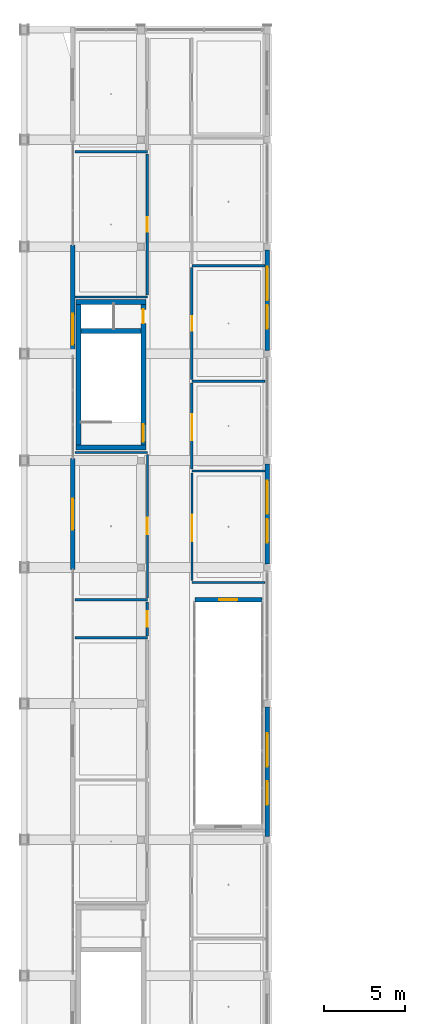
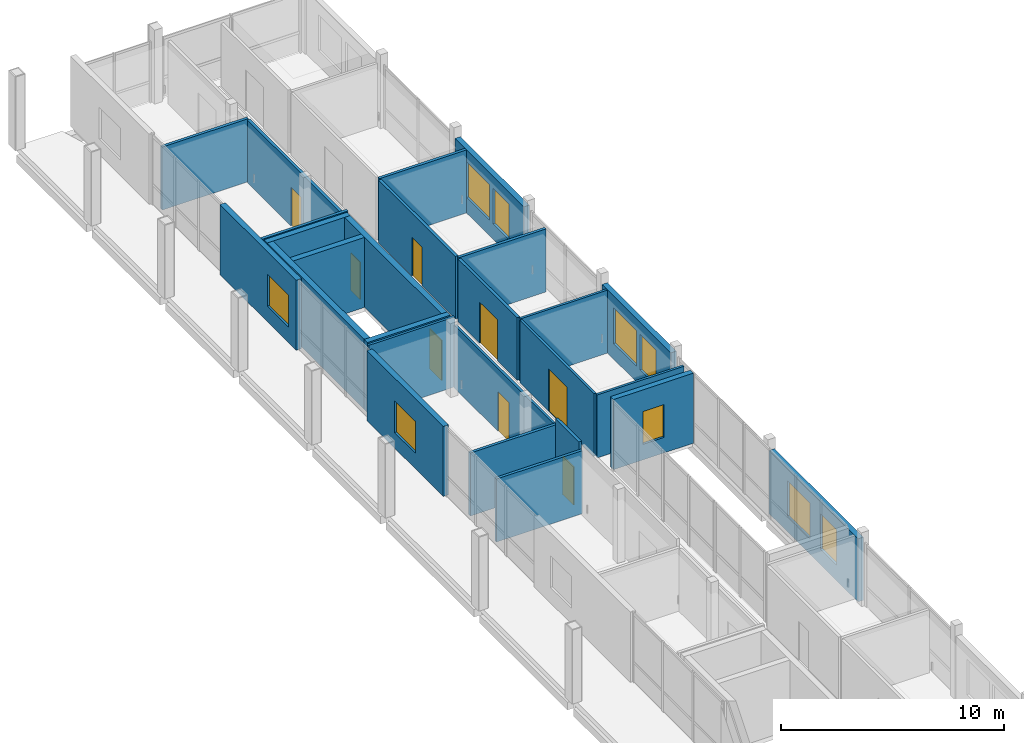
# One storey, part 13 of 24: 26 walls, 9 windows, 8 doors, 17 openings.
"""IFC4 building model written with IfcOpenShell, lengths in metres."""

from ifc_helpers import new_model, si_unit, derived_unit, direction, frame, frame_2d, origin, origin_with_axes, place, context, subcontext, project, spatial, rectangle, extrude, material, layer, layer_set, type_object, element, fill, save


model = new_model("IFC4")

# Units and contexts
model_context = context("Model", 3, precision=1e-05, world=origin(), true_north=direction((0.0, 1.0)))
body_context = subcontext(model_context, "Body", "Model", "MODEL_VIEW")
ifc_project = project(units=[si_unit("LENGTHUNIT", "METRE"), si_unit("AREAUNIT", "SQUARE_METRE"), si_unit("VOLUMEUNIT", "CUBIC_METRE"), si_unit("PLANEANGLEUNIT", "RADIAN"), si_unit("MASSUNIT", "GRAM", prefix="KILO"), derived_unit("THERMALTRANSMITTANCEUNIT", [(si_unit("POWERUNIT", "WATT"), 1), (si_unit("LENGTHUNIT", "METRE"), -2), (si_unit("THERMODYNAMICTEMPERATUREUNIT", "KELVIN"), -1)])], contexts=[model_context])

# Site, building, storey
site_placement = place(None, origin())
site = spatial("IfcSite", under=ifc_project, at=site_placement, CompositionType="ELEMENT")
building_placement = place(site_placement, origin())
building = spatial("IfcBuilding", under=site, at=building_placement, Name="Braskholm Square Health Centre", CompositionType="ELEMENT")
storey_placement = place(building_placement, frame((0.0, 0.0, 21.60009765625)))
storey = spatial("IfcBuildingStorey", under=building, at=storey_placement, Name="L06", CompositionType="ELEMENT", Elevation=21.60009765625)

# Wall, opening, door
ifc_material_1 = material(Name="Acoustic gypsum board partition")
ifc_layer_1 = layer(ifc_material_1, 0.125)
ifc_layer_set_1 = layer_set([ifc_layer_1], Name="Acoustic gypsum board partition")
wall_type_1 = type_object("IfcWallType", Name="ClinicalExamPartition125", PredefinedType="PARTITIONING", material=ifc_layer_set_1)
wall_1_placement = place(storey_placement, frame((11.800048828125, 78.719970703125, 0.0), z_axis=(0.0, 0.0, 1.0), x_axis=(0.0, 1.0, 0.0)))
wall_1 = element("IfcWall", 1, at=wall_1_placement, inside=storey, type_object=wall_type_1, Name="Interior partition PWALL-L06-0262", PredefinedType="PARTITIONING", context=body_context, shape_type="SweptSolid", body=[
    extrude(rectangle(XDim=8.860107421875, YDim=0.125, at=frame_2d((4.43017578125, 0.0))), origin(), (0.0, 0.0, 1.0), 3.434814453125),
])
opening_1_placement = place(wall_1_placement, frame((3.919921875, 0.0, 0.0)))
opening_1 = element("IfcOpeningElement", 2, at=opening_1_placement, cuts=wall_1, Name="Opening D-25", PredefinedType="OPENING", context=body_context, shape_type="SweptSolid", body=[
    extrude(rectangle(XDim=1.02001953125, YDim=2.179931640625, at=frame_2d((0.510009765625, 1.08984375))), frame((0.0, 0.072509765625, 0.0), z_axis=(0.0, -1.0, 0.0), x_axis=(1.0, 0.0, 0.0)), (0.0, 0.0, 1.0), 0.14501953125),
])
ifc_material_2 = material(Name="Architectural bronze anodised aluminium", Category="aluminium")
door_type_1 = type_object("IfcDoorType", Name="DoorConsultWide1020x2180", OperationType="NOTDEFINED", PredefinedType="DOOR", material=ifc_material_2)
door_1_placement = place(opening_1_placement, origin_with_axes())
door_1 = element("IfcDoor", 3, at=door_1_placement, inside=storey, type_object=door_type_1, Name="Interior door 0121 L06", OperationType="SINGLE_SWING_LEFT", OverallHeight=2.179931640625, OverallWidth=1.02001953125, PredefinedType="DOOR", context=body_context, shape_type="SweptSolid", body=[
    extrude(rectangle(XDim=1.02001953125, YDim=2.179931640625, at=frame_2d((0.510009765625, 1.08984375))), frame((0.0, 0.02490234375, 0.0), z_axis=(0.0, -1.0, 0.0), x_axis=(1.0, 0.0, 0.0)), (0.0, 0.0, 1.0), 0.050048828125),
])
fill(opening_1, door_1)

# Wall
wall_2_placement = place(storey_placement, frame((7.340087890625, 87.699951171875, 0.0), z_axis=(0.0, 0.0, 1.0), x_axis=(1.0, 0.0, 0.0)))
element("IfcWall", 4, at=wall_2_placement, inside=storey, type_object=wall_type_1, Name="Interior partition PWALL-L06-0263", PredefinedType="PARTITIONING", context=body_context, shape_type="SweptSolid", body=[
    extrude(rectangle(XDim=4.4599609375, YDim=0.125, at=frame_2d((2.22998046875, 0.0))), origin(), (0.0, 0.0, 1.0), 3.8349609375),
])

# Wall, opening, door
wall_3_placement = place(storey_placement, frame((14.550048828125, 79.800048828125, 0.0), z_axis=(0.0, 0.0, 1.0), x_axis=(0.0, 1.0, 0.0)))
wall_3 = element("IfcWall", 5, at=wall_3_placement, inside=storey, type_object=wall_type_1, Name="Interior partition PWALL-L06-0281", PredefinedType="PARTITIONING", context=body_context, shape_type="SweptSolid", body=[
    extrude(rectangle(XDim=6.639892578125, YDim=0.125, at=frame_2d((3.31982421875, 0.0))), origin(), (0.0, 0.0, 1.0), 3.434814453125),
])
opening_2_placement = place(wall_3_placement, frame((2.423095703125, 0.0, 0.0)))
opening_2 = element("IfcOpeningElement", 6, at=opening_2_placement, cuts=wall_3, Name="Opening D-28", PredefinedType="OPENING", context=body_context, shape_type="SweptSolid", body=[
    extrude(rectangle(XDim=1.639892578125, YDim=2.320068359375, at=frame_2d((0.81982421875, 1.16015625))), frame((0.0, 0.072509765625, 0.0), z_axis=(0.0, -1.0, 0.0), x_axis=(1.0, 0.0, 0.0)), (0.0, 0.0, 1.0), 0.14501953125),
])
door_type_2 = type_object("IfcDoorType", Name="DoorSuiteDouble1640x2320", OperationType="DOUBLE_DOOR_SINGLE_SWING", PredefinedType="DOOR", material=ifc_material_2)
door_2_placement = place(opening_2_placement, frame((1.639892578125, 0.0, 0.0), z_axis=(0.0, 0.0, 1.0), x_axis=(-1.0, 0.0, 0.0)))
door_2 = element("IfcDoor", 7, at=door_2_placement, inside=storey, type_object=door_type_2, Name="Interior door 0130 L06", OperationType="DOUBLE_DOOR_SINGLE_SWING", OverallHeight=2.320068359375, OverallWidth=1.639892578125, PredefinedType="DOOR", context=body_context, shape_type="SweptSolid", body=[
    extrude(rectangle(XDim=1.639892578125, YDim=2.320068359375, at=frame_2d((0.81982421875, 1.16015625))), frame((0.0, 0.02490234375, 0.0), z_axis=(0.0, -1.0, 0.0), x_axis=(1.0, 0.0, 0.0)), (0.0, 0.0, 1.0), 0.050048828125),
])
fill(opening_2, door_2)

# Walls
for number, where, z_axis, x_axis, name in (
    (8, (14.550048828125, 79.679931640625, 0.0), (0.0, 0.0, 1.0), (1.0, 0.0, 0.0), "Interior partition PWALL-L06-0282"),
    (9, (14.550048828125, 86.56005859375, 0.0), (0.0, 0.0, 1.0), (1.0, 0.0, 0.0), "Interior partition PWALL-L06-0283"),
):
    element("IfcWall", number, at=place(storey_placement, frame(where, z_axis=z_axis, x_axis=x_axis)), inside=storey, type_object=wall_type_1, Name=name, PredefinedType="PARTITIONING", context=body_context, shape_type="SweptSolid", body=[
        extrude(rectangle(XDim=4.510009765625, YDim=0.125, at=frame_2d((2.2548828125, 0.0))), origin(), (0.0, 0.0, 1.0), 3.454833984375),
    ])
ifc_layer_2 = layer(ifc_material_1, 0.14990234375)
ifc_layer_set_2 = layer_set([ifc_layer_2], Name="Acoustic gypsum board partition")
wall_type_2 = type_object("IfcWallType", Name="CorridorAcousticPartition150", PredefinedType="PARTITIONING", material=ifc_layer_set_2)
wall_4_placement = place(storey_placement, frame((7.340087890625, 76.25, 0.0), z_axis=(0.0, 0.0, 1.0), x_axis=(1.0, 0.0, 0.0)))
element("IfcWall", 10, at=wall_4_placement, inside=storey, type_object=wall_type_2, Name="Interior partition PWALL-L06-0259", PredefinedType="PARTITIONING", context=body_context, shape_type="SweptSolid", body=[
    extrude(rectangle(XDim=4.4599609375, YDim=0.14990234375, at=frame_2d((2.22998046875, 0.0))), origin(), (0.0, 0.0, 1.0), 3.454833984375),
])

# Wall, opening, door
wall_5_placement = place(storey_placement, frame((11.800048828125, 76.3701171875, 0.0), z_axis=(0.0, 0.0, 1.0), x_axis=(0.0, 1.0, 0.0)))
wall_5 = element("IfcWall", 11, at=wall_5_placement, inside=storey, type_object=wall_type_2, Name="Interior partition PWALL-L06-0260", PredefinedType="PARTITIONING", context=body_context, shape_type="SweptSolid", body=[
    extrude(rectangle(XDim=2.10986328125, YDim=0.14990234375, at=frame_2d((1.054931640625, 0.0))), origin(), (0.0, 0.0, 1.0), 3.8349609375),
])
opening_3_placement = place(wall_5_placement, frame((0.574951171875, 0.0, 0.0)))
opening_3 = element("IfcOpeningElement", 12, at=opening_3_placement, cuts=wall_5, Name="Opening D-05", PredefinedType="OPENING", context=body_context, shape_type="SweptSolid", body=[
    extrude(rectangle(XDim=0.9599609375, YDim=2.10009765625, at=frame_2d((0.47998046875, 1.050048828125))), frame((0.0, 0.0849609375, 0.0), z_axis=(0.0, -1.0, 0.0), x_axis=(1.0, 0.0, 0.0)), (0.0, 0.0, 1.0), 0.169921875),
])
door_type_3 = type_object("IfcDoorType", Name="DoorAccessibleWC960x2100", OperationType="NOTDEFINED", PredefinedType="DOOR", material=ifc_material_2)
door_3_placement = place(opening_3_placement, origin_with_axes())
door_3 = element("IfcDoor", 13, at=door_3_placement, inside=storey, type_object=door_type_3, Name="Interior door 0120 L06", OperationType="SINGLE_SWING_RIGHT", OverallHeight=2.10009765625, OverallWidth=0.9599609375, PredefinedType="DOOR", context=body_context, shape_type="SweptSolid", body=[
    extrude(rectangle(XDim=0.9599609375, YDim=2.10009765625, at=frame_2d((0.47998046875, 1.050048828125))), frame((0.0, 0.02490234375, 0.0), z_axis=(0.0, -1.0, 0.0), x_axis=(1.0, 0.0, 0.0)), (0.0, 0.0, 1.0), 0.050048828125),
])
fill(opening_3, door_3)

# Wall
wall_6_placement = place(storey_placement, frame((7.340087890625, 78.60009765625, 0.0), z_axis=(0.0, 0.0, 1.0), x_axis=(1.0, 0.0, 0.0)))
element("IfcWall", 14, at=wall_6_placement, inside=storey, type_object=wall_type_2, Name="Interior partition PWALL-L06-0261", PredefinedType="PARTITIONING", context=body_context, shape_type="SweptSolid", body=[
    extrude(rectangle(XDim=4.4599609375, YDim=0.14990234375, at=frame_2d((2.22998046875, 0.0))), origin(), (0.0, 0.0, 1.0), 3.454833984375),
])

# Wall, opening, door
wall_7_placement = place(storey_placement, frame((11.800048828125, 97.419921875, 0.0), z_axis=(0.0, 0.0, 1.0), x_axis=(0.0, 1.0, 0.0)))
wall_7 = element("IfcWall", 15, at=wall_7_placement, inside=storey, type_object=wall_type_2, Name="Interior partition PWALL-L06-0264", PredefinedType="PARTITIONING", context=body_context, shape_type="SweptSolid", body=[
    extrude(rectangle(XDim=8.719970703125, YDim=0.14990234375, at=frame_2d((4.35986328125, 0.0))), origin(), (0.0, 0.0, 1.0), 3.434814453125),
])
opening_4_placement = place(wall_7_placement, frame((3.909912109375, 0.0, 0.0)))
opening_4 = element("IfcOpeningElement", 16, at=opening_4_placement, cuts=wall_7, Name="Opening D-07", PredefinedType="OPENING", context=body_context, shape_type="SweptSolid", body=[
    extrude(rectangle(XDim=0.89990234375, YDim=2.1201171875, at=frame_2d((0.449951171875, 1.06005859375))), frame((0.0, 0.0849609375, 0.0), z_axis=(0.0, -1.0, 0.0), x_axis=(1.0, 0.0, 0.0)), (0.0, 0.0, 1.0), 0.169921875),
])
door_type_4 = type_object("IfcDoorType", Name="DoorProviderOffice900x2120", OperationType="NOTDEFINED", PredefinedType="DOOR", material=ifc_material_2)
door_4_placement = place(opening_4_placement, origin_with_axes())
door_4 = element("IfcDoor", 17, at=door_4_placement, inside=storey, type_object=door_type_4, Name="Interior door 0122 L06", OperationType="SINGLE_SWING_RIGHT", OverallHeight=2.1201171875, OverallWidth=0.89990234375, PredefinedType="DOOR", context=body_context, shape_type="SweptSolid", body=[
    extrude(rectangle(XDim=0.89990234375, YDim=2.1201171875, at=frame_2d((0.449951171875, 1.06005859375))), frame((0.0, 0.02490234375, 0.0), z_axis=(0.0, -1.0, 0.0), x_axis=(1.0, 0.0, 0.0)), (0.0, 0.0, 1.0), 0.050048828125),
])
fill(opening_4, door_4)

# Walls
wall_8_placement = place(storey_placement, frame((7.340087890625, 106.260009765625, 0.0), z_axis=(0.0, 0.0, 1.0), x_axis=(1.0, 0.0, 0.0)))
element("IfcWall", 18, at=wall_8_placement, inside=storey, type_object=wall_type_2, Name="Interior partition PWALL-L06-0265", PredefinedType="PARTITIONING", context=body_context, shape_type="SweptSolid", body=[
    extrude(rectangle(XDim=4.4599609375, YDim=0.14990234375, at=frame_2d((2.22998046875, 0.0))), origin(), (0.0, 0.0, 1.0), 3.454833984375),
])
wall_9_placement = place(storey_placement, frame((7.340087890625, 97.300048828125, 0.0), z_axis=(0.0, 0.0, 1.0), x_axis=(1.0, 0.0, 0.0)))
element("IfcWall", 19, at=wall_9_placement, inside=storey, type_object=wall_type_2, Name="Interior partition PWALL-L06-0266", PredefinedType="PARTITIONING", context=body_context, shape_type="SweptSolid", body=[
    extrude(rectangle(XDim=4.4599609375, YDim=0.14990234375, at=frame_2d((2.22998046875, 0.0))), origin(), (0.0, 0.0, 1.0), 3.8349609375),
])

# Wall, opening, door
wall_10_placement = place(storey_placement, frame((14.550048828125, 86.679931640625, 0.0), z_axis=(0.0, 0.0, 1.0), x_axis=(0.0, 1.0, 0.0)))
wall_10 = element("IfcWall", 20, at=wall_10_placement, inside=storey, type_object=wall_type_2, Name="Interior partition PWALL-L06-0284", PredefinedType="PARTITIONING", context=body_context, shape_type="SweptSolid", body=[
    extrude(rectangle(XDim=5.300048828125, YDim=0.14990234375, at=frame_2d((2.64990234375, 0.0))), origin(), (0.0, 0.0, 1.0), 3.434814453125),
])
opening_5_placement = place(wall_10_placement, frame((1.77392578125, 0.0, 0.0)))
opening_5 = element("IfcOpeningElement", 21, at=opening_5_placement, cuts=wall_10, Name="Opening D-11", PredefinedType="OPENING", context=body_context, shape_type="SweptSolid", body=[
    extrude(rectangle(XDim=1.60009765625, YDim=2.25, at=frame_2d((0.800048828125, 1.125))), frame((0.0, 0.0849609375, 0.0), z_axis=(0.0, -1.0, 0.0), x_axis=(1.0, 0.0, 0.0)), (0.0, 0.0, 1.0), 0.169921875),
])
door_type_5 = type_object("IfcDoorType", Name="DoorClassroomDouble1600x2250", OperationType="DOUBLE_DOOR_SINGLE_SWING", PredefinedType="DOOR", material=ifc_material_2)
door_5_placement = place(opening_5_placement, frame((1.60009765625, 0.0, 0.0), z_axis=(0.0, 0.0, 1.0), x_axis=(-1.0, 0.0, 0.0)))
door_5 = element("IfcDoor", 22, at=door_5_placement, inside=storey, type_object=door_type_5, Name="Interior door 0131 L06", OperationType="DOUBLE_DOOR_SINGLE_SWING", OverallHeight=2.25, OverallWidth=1.60009765625, PredefinedType="DOOR", context=body_context, shape_type="SweptSolid", body=[
    extrude(rectangle(XDim=1.60009765625, YDim=2.25, at=frame_2d((0.800048828125, 1.125))), frame((0.0, 0.02490234375, 0.0), z_axis=(0.0, -1.0, 0.0), x_axis=(1.0, 0.0, 0.0)), (0.0, 0.0, 1.0), 0.050048828125),
])
fill(opening_5, door_5)

# Wall
wall_11_placement = place(storey_placement, frame((14.550048828125, 92.10009765625, 0.0), z_axis=(0.0, 0.0, 1.0), x_axis=(1.0, 0.0, 0.0)))
element("IfcWall", 23, at=wall_11_placement, inside=storey, type_object=wall_type_2, Name="Interior partition PWALL-L06-0285", PredefinedType="PARTITIONING", context=body_context, shape_type="SweptSolid", body=[
    extrude(rectangle(XDim=4.510009765625, YDim=0.14990234375, at=frame_2d((2.2548828125, 0.0))), origin(), (0.0, 0.0, 1.0), 3.454833984375),
])

# Wall, opening, door
wall_12_placement = place(storey_placement, frame((14.550048828125, 92.219970703125, 0.0), z_axis=(0.0, 0.0, 1.0), x_axis=(0.0, 1.0, 0.0)))
wall_12 = element("IfcWall", 24, at=wall_12_placement, inside=storey, type_object=wall_type_2, Name="Interior partition PWALL-L06-0286", PredefinedType="PARTITIONING", context=body_context, shape_type="SweptSolid", body=[
    extrude(rectangle(XDim=6.900146484375, YDim=0.14990234375, at=frame_2d((3.4501953125, 0.0))), origin(), (0.0, 0.0, 1.0), 3.434814453125),
])
opening_6_placement = place(wall_12_placement, frame((3.0, 0.0, 0.0)))
opening_6 = element("IfcOpeningElement", 25, at=opening_6_placement, cuts=wall_12, Name="Opening D-07", PredefinedType="OPENING", context=body_context, shape_type="SweptSolid", body=[
    extrude(rectangle(XDim=0.89990234375, YDim=2.1201171875, at=frame_2d((0.449951171875, 1.06005859375))), frame((0.0, 0.0849609375, 0.0), z_axis=(0.0, -1.0, 0.0), x_axis=(1.0, 0.0, 0.0)), (0.0, 0.0, 1.0), 0.169921875),
])
door_6_placement = place(opening_6_placement, frame((0.89990234375, 0.0, 0.0), z_axis=(0.0, 0.0, 1.0), x_axis=(-1.0, 0.0, 0.0)))
door_6 = element("IfcDoor", 26, at=door_6_placement, inside=storey, type_object=door_type_4, Name="Interior door 0132 L06", OperationType="SINGLE_SWING_LEFT", OverallHeight=2.1201171875, OverallWidth=0.89990234375, PredefinedType="DOOR", context=body_context, shape_type="SweptSolid", body=[
    extrude(rectangle(XDim=0.89990234375, YDim=2.1201171875, at=frame_2d((0.449951171875, 1.06005859375))), frame((0.0, 0.02490234375, 0.0), z_axis=(0.0, -1.0, 0.0), x_axis=(1.0, 0.0, 0.0)), (0.0, 0.0, 1.0), 0.050048828125),
])
fill(opening_6, door_6)

# Wall
wall_13_placement = place(storey_placement, frame((14.550048828125, 99.239990234375, 0.0), z_axis=(0.0, 0.0, 1.0), x_axis=(1.0, 0.0, 0.0)))
element("IfcWall", 27, at=wall_13_placement, inside=storey, type_object=wall_type_2, Name="Interior partition PWALL-L06-0287", PredefinedType="PARTITIONING", context=body_context, shape_type="SweptSolid", body=[
    extrude(rectangle(XDim=4.510009765625, YDim=0.14990234375, at=frame_2d((2.2548828125, 0.0))), origin(), (0.0, 0.0, 1.0), 3.454833984375),
])

# Wall, opening, window
ifc_material_3 = material(Name="Precast concrete C40/50 architectural white", Category="concrete")
ifc_layer_3 = layer(ifc_material_3, 0.280029296875)
ifc_layer_set_3 = layer_set([ifc_layer_3], Name="Precast concrete C40/50 architectural white")
wall_type_3 = type_object("IfcWallType", Name="ExteriorPrecastSpandrelWall280", PredefinedType="SOLIDWALL", material=ifc_layer_set_3)
wall_14_placement = place(storey_placement, frame((7.199951171875, 87.323974609375, 0.0), z_axis=(0.0, 0.0, 1.0), x_axis=(0.0, -1.0, 0.0)))
wall_14 = element("IfcWall", 28, at=wall_14_placement, inside=storey, type_object=wall_type_3, Name="Exterior wall EWALL-L06-0049", PredefinedType="SOLIDWALL", context=body_context, shape_type="SweptSolid", body=[
    extrude(rectangle(XDim=6.85888671875, YDim=0.280029296875, at=frame_2d((3.429443359375, 0.0))), origin(), (0.0, 0.0, 1.0), 3.83984375),
])
opening_7_placement = place(wall_14_placement, frame((2.47900390625, 0.0, 0.85009765625)))
opening_7 = element("IfcOpeningElement", 29, at=opening_7_placement, cuts=wall_14, Name="Opening WN-23", PredefinedType="OPENING", context=body_context, shape_type="SweptSolid", body=[
    extrude(rectangle(XDim=1.89990234375, YDim=1.75, at=frame_2d((0.949951171875, 0.875))), frame((0.0, 0.14990234375, 0.0), z_axis=(0.0, -1.0, 0.0), x_axis=(1.0, 0.0, 0.0)), (0.0, 0.0, 1.0), 0.300048828125),
])
ifc_material_4 = material(Name="Low-E triple insulating glass (VLT 0.64)", Category="glass")
window_type_1 = type_object("IfcWindowType", Name="WinCrownSetback1900x1750", PartitioningType="SINGLE_PANEL", PredefinedType="WINDOW", material=ifc_material_4)
window_1_placement = place(opening_7_placement, origin_with_axes())
window_1 = element("IfcWindow", 30, at=window_1_placement, inside=storey, type_object=window_type_1, Name="Exterior window 0088 L06", OverallHeight=1.75, OverallWidth=1.89990234375, PartitioningType="SINGLE_PANEL", PredefinedType="WINDOW", context=body_context, shape_type="SweptSolid", body=[
    extrude(rectangle(XDim=1.89990234375, YDim=1.75, at=frame_2d((0.949951171875, 0.875))), frame((0.0, 0.030029296875, 0.0), z_axis=(0.0, -1.0, 0.0), x_axis=(1.0, 0.0, 0.0)), (0.0, 0.0, 1.0), 0.06005859375),
])
fill(opening_7, window_1)

wall_15_placement = place(storey_placement, frame((7.199951171875, 100.52392578125, 0.0), z_axis=(0.0, 0.0, 1.0), x_axis=(0.0, -1.0, 0.0)))
wall_15 = element("IfcWall", 31, at=wall_15_placement, inside=storey, type_object=wall_type_3, Name="Exterior wall EWALL-L06-0050", PredefinedType="SOLIDWALL", context=body_context, shape_type="SweptSolid", body=[
    extrude(rectangle(XDim=6.847900390625, YDim=0.280029296875, at=frame_2d((3.423828125, 0.0))), origin(), (0.0, 0.0, 1.0), 3.83984375),
])
opening_8_placement = place(wall_15_placement, frame((4.260986328125, 0.0, 0.85009765625)))
opening_8 = element("IfcOpeningElement", 32, at=opening_8_placement, cuts=wall_15, Name="Opening WN-23", PredefinedType="OPENING", context=body_context, shape_type="SweptSolid", body=[
    extrude(rectangle(XDim=1.89990234375, YDim=1.75, at=frame_2d((0.949951171875, 0.875))), frame((0.0, 0.14990234375, 0.0), z_axis=(0.0, -1.0, 0.0), x_axis=(1.0, 0.0, 0.0)), (0.0, 0.0, 1.0), 0.300048828125),
])
window_2_placement = place(opening_8_placement, origin_with_axes())
window_2 = element("IfcWindow", 33, at=window_2_placement, inside=storey, type_object=window_type_1, Name="Exterior window 0089 L06", OverallHeight=1.75, OverallWidth=1.89990234375, PartitioningType="SINGLE_PANEL", PredefinedType="WINDOW", context=body_context, shape_type="SweptSolid", body=[
    extrude(rectangle(XDim=1.89990234375, YDim=1.75, at=frame_2d((0.949951171875, 0.875))), frame((0.0, 0.030029296875, 0.0), z_axis=(0.0, -1.0, 0.0), x_axis=(1.0, 0.0, 0.0)), (0.0, 0.0, 1.0), 0.06005859375),
])
fill(opening_8, window_2)

# Wall, openings, windows
wall_16_placement = place(storey_placement, frame((19.199951171875, 64.001953125, 0.0), z_axis=(0.0, 0.0, 1.0), x_axis=(0.0, 1.0, 0.0)))
wall_16 = element("IfcWall", 34, at=wall_16_placement, inside=storey, type_object=wall_type_3, Name="Exterior wall EWALL-L06-0153", PredefinedType="SOLIDWALL", context=body_context, shape_type="SweptSolid", body=[
    extrude(rectangle(XDim=7.99609375, YDim=0.280029296875, at=frame_2d((3.998046875, 0.0))), origin(), (0.0, 0.0, 1.0), 3.4599609375),
])
opening_9_placement = place(wall_16_placement, frame((1.93994140625, 0.0, 0.85009765625)))
opening_9 = element("IfcOpeningElement", 35, at=opening_9_placement, cuts=wall_16, Name="Opening WN-24", PredefinedType="OPENING", context=body_context, shape_type="SweptSolid", body=[
    extrude(rectangle(XDim=1.449951171875, YDim=1.949951171875, at=frame_2d((0.72509765625, 0.97509765625))), frame((0.0, 0.14990234375, 0.0), z_axis=(0.0, -1.0, 0.0), x_axis=(1.0, 0.0, 0.0)), (0.0, 0.0, 1.0), 0.300048828125),
])
opening_10_placement = place(wall_16_placement, frame((4.305908203125, 0.0, 0.85009765625)))
opening_10 = element("IfcOpeningElement", 36, at=opening_10_placement, cuts=wall_16, Name="Opening WN-25", PredefinedType="OPENING", context=body_context, shape_type="SweptSolid", body=[
    extrude(rectangle(XDim=2.050048828125, YDim=1.949951171875, at=frame_2d((1.02490234375, 0.97509765625))), frame((0.0, 0.14990234375, 0.0), z_axis=(0.0, -1.0, 0.0), x_axis=(1.0, 0.0, 0.0)), (0.0, 0.0, 1.0), 0.300048828125),
])
window_type_2 = type_object("IfcWindowType", Name="WinValleyTerrace1450x1950", PartitioningType="SINGLE_PANEL", PredefinedType="WINDOW", material=ifc_material_4)
window_3_placement = place(opening_9_placement, origin_with_axes())
window_3 = element("IfcWindow", 37, at=window_3_placement, inside=storey, type_object=window_type_2, Name="Exterior window 0216 L06", OverallHeight=1.949951171875, OverallWidth=1.449951171875, PartitioningType="SINGLE_PANEL", PredefinedType="WINDOW", context=body_context, shape_type="SweptSolid", body=[
    extrude(rectangle(XDim=1.449951171875, YDim=1.949951171875, at=frame_2d((0.72509765625, 0.97509765625))), frame((0.0, 0.030029296875, 0.0), z_axis=(0.0, -1.0, 0.0), x_axis=(1.0, 0.0, 0.0)), (0.0, 0.0, 1.0), 0.06005859375),
])
fill(opening_9, window_3)
window_type_3 = type_object("IfcWindowType", Name="WinValleyTerrace2050x1950", PartitioningType="SINGLE_PANEL", PredefinedType="WINDOW", material=ifc_material_4)
window_4_placement = place(opening_10_placement, origin_with_axes())
window_4 = element("IfcWindow", 38, at=window_4_placement, inside=storey, type_object=window_type_3, Name="Exterior window 0217 L06", OverallHeight=1.949951171875, OverallWidth=2.050048828125, PartitioningType="SINGLE_PANEL", PredefinedType="WINDOW", context=body_context, shape_type="SweptSolid", body=[
    extrude(rectangle(XDim=2.050048828125, YDim=1.949951171875, at=frame_2d((1.02490234375, 0.97509765625))), frame((0.0, 0.030029296875, 0.0), z_axis=(0.0, -1.0, 0.0), x_axis=(1.0, 0.0, 0.0)), (0.0, 0.0, 1.0), 0.06005859375),
])
fill(opening_10, window_4)

wall_17_placement = place(storey_placement, frame((19.199951171875, 80.802001953125, 0.0), z_axis=(0.0, 0.0, 1.0), x_axis=(0.0, 1.0, 0.0)))
wall_17 = element("IfcWall", 39, at=wall_17_placement, inside=storey, type_object=wall_type_3, Name="Exterior wall EWALL-L06-0154", PredefinedType="SOLIDWALL", context=body_context, shape_type="SweptSolid", body=[
    extrude(rectangle(XDim=6.196044921875, YDim=0.280029296875, at=frame_2d((3.09814453125, 0.0))), origin(), (0.0, 0.0, 1.0), 3.4599609375),
])
opening_11_placement = place(wall_17_placement, frame((1.340087890625, 0.0, 0.85009765625)))
opening_11 = element("IfcOpeningElement", 40, at=opening_11_placement, cuts=wall_17, Name="Opening WN-24", PredefinedType="OPENING", context=body_context, shape_type="SweptSolid", body=[
    extrude(rectangle(XDim=1.449951171875, YDim=1.949951171875, at=frame_2d((0.72509765625, 0.97509765625))), frame((0.0, 0.14990234375, 0.0), z_axis=(0.0, -1.0, 0.0), x_axis=(1.0, 0.0, 0.0)), (0.0, 0.0, 1.0), 0.300048828125),
])
opening_12_placement = place(wall_17_placement, frame((3.10595703125, 0.0, 0.85009765625)))
opening_12 = element("IfcOpeningElement", 41, at=opening_12_placement, cuts=wall_17, Name="Opening WN-25", PredefinedType="OPENING", context=body_context, shape_type="SweptSolid", body=[
    extrude(rectangle(XDim=2.050048828125, YDim=1.949951171875, at=frame_2d((1.02490234375, 0.97509765625))), frame((0.0, 0.14990234375, 0.0), z_axis=(0.0, -1.0, 0.0), x_axis=(1.0, 0.0, 0.0)), (0.0, 0.0, 1.0), 0.300048828125),
])
window_5_placement = place(opening_11_placement, origin_with_axes())
window_5 = element("IfcWindow", 42, at=window_5_placement, inside=storey, type_object=window_type_2, Name="Exterior window 0218 L06", OverallHeight=1.949951171875, OverallWidth=1.449951171875, PartitioningType="SINGLE_PANEL", PredefinedType="WINDOW", context=body_context, shape_type="SweptSolid", body=[
    extrude(rectangle(XDim=1.449951171875, YDim=1.949951171875, at=frame_2d((0.72509765625, 0.97509765625))), frame((0.0, 0.030029296875, 0.0), z_axis=(0.0, -1.0, 0.0), x_axis=(1.0, 0.0, 0.0)), (0.0, 0.0, 1.0), 0.06005859375),
])
fill(opening_11, window_5)
window_6_placement = place(opening_12_placement, origin_with_axes())
window_6 = element("IfcWindow", 43, at=window_6_placement, inside=storey, type_object=window_type_3, Name="Exterior window 0219 L06", OverallHeight=1.949951171875, OverallWidth=2.050048828125, PartitioningType="SINGLE_PANEL", PredefinedType="WINDOW", context=body_context, shape_type="SweptSolid", body=[
    extrude(rectangle(XDim=2.050048828125, YDim=1.949951171875, at=frame_2d((1.02490234375, 0.97509765625))), frame((0.0, 0.030029296875, 0.0), z_axis=(0.0, -1.0, 0.0), x_axis=(1.0, 0.0, 0.0)), (0.0, 0.0, 1.0), 0.06005859375),
])
fill(opening_12, window_6)

wall_18_placement = place(storey_placement, frame((19.199951171875, 94.001953125, 0.0), z_axis=(0.0, 0.0, 1.0), x_axis=(0.0, 1.0, 0.0)))
wall_18 = element("IfcWall", 44, at=wall_18_placement, inside=storey, type_object=wall_type_3, Name="Exterior wall EWALL-L06-0155", PredefinedType="SOLIDWALL", context=body_context, shape_type="SweptSolid", body=[
    extrude(rectangle(XDim=6.196044921875, YDim=0.280029296875, at=frame_2d((3.09814453125, 0.0))), origin(), (0.0, 0.0, 1.0), 3.4599609375),
])
opening_13_placement = place(wall_18_placement, frame((1.340087890625, 0.0, 0.85009765625)))
opening_13 = element("IfcOpeningElement", 45, at=opening_13_placement, cuts=wall_18, Name="Opening WN-24", PredefinedType="OPENING", context=body_context, shape_type="SweptSolid", body=[
    extrude(rectangle(XDim=1.449951171875, YDim=1.949951171875, at=frame_2d((0.72509765625, 0.97509765625))), frame((0.0, 0.14990234375, 0.0), z_axis=(0.0, -1.0, 0.0), x_axis=(1.0, 0.0, 0.0)), (0.0, 0.0, 1.0), 0.300048828125),
])
opening_14_placement = place(wall_18_placement, frame((3.10595703125, 0.0, 0.85009765625)))
opening_14 = element("IfcOpeningElement", 46, at=opening_14_placement, cuts=wall_18, Name="Opening WN-25", PredefinedType="OPENING", context=body_context, shape_type="SweptSolid", body=[
    extrude(rectangle(XDim=2.050048828125, YDim=1.949951171875, at=frame_2d((1.02490234375, 0.97509765625))), frame((0.0, 0.14990234375, 0.0), z_axis=(0.0, -1.0, 0.0), x_axis=(1.0, 0.0, 0.0)), (0.0, 0.0, 1.0), 0.300048828125),
])
window_7_placement = place(opening_13_placement, origin_with_axes())
window_7 = element("IfcWindow", 47, at=window_7_placement, inside=storey, type_object=window_type_2, Name="Exterior window 0220 L06", OverallHeight=1.949951171875, OverallWidth=1.449951171875, PartitioningType="SINGLE_PANEL", PredefinedType="WINDOW", context=body_context, shape_type="SweptSolid", body=[
    extrude(rectangle(XDim=1.449951171875, YDim=1.949951171875, at=frame_2d((0.72509765625, 0.97509765625))), frame((0.0, 0.030029296875, 0.0), z_axis=(0.0, -1.0, 0.0), x_axis=(1.0, 0.0, 0.0)), (0.0, 0.0, 1.0), 0.06005859375),
])
fill(opening_13, window_7)
window_8_placement = place(opening_14_placement, origin_with_axes())
window_8 = element("IfcWindow", 48, at=window_8_placement, inside=storey, type_object=window_type_3, Name="Exterior window 0221 L06", OverallHeight=1.949951171875, OverallWidth=2.050048828125, PartitioningType="SINGLE_PANEL", PredefinedType="WINDOW", context=body_context, shape_type="SweptSolid", body=[
    extrude(rectangle(XDim=2.050048828125, YDim=1.949951171875, at=frame_2d((1.02490234375, 0.97509765625))), frame((0.0, 0.030029296875, 0.0), z_axis=(0.0, -1.0, 0.0), x_axis=(1.0, 0.0, 0.0)), (0.0, 0.0, 1.0), 0.06005859375),
])
fill(opening_14, window_8)

# Wall, opening, window
wall_19_placement = place(storey_placement, frame((14.73388671875, 78.60009765625, 0.0), z_axis=(0.0, 0.0, 1.0), x_axis=(1.0, 0.0, 0.0)))
wall_19 = element("IfcWall", 49, at=wall_19_placement, inside=storey, type_object=wall_type_3, Name="Exterior wall EWALL-L06-0306", PredefinedType="SOLIDWALL", context=body_context, shape_type="SweptSolid", body=[
    extrude(rectangle(XDim=4.132080078125, YDim=0.280029296875, at=frame_2d((2.06591796875, 0.0))), origin(), (0.0, 0.0, 1.0), 3.83984375),
])
opening_15_placement = place(wall_19_placement, frame((1.51611328125, 0.0, 0.85009765625)))
opening_15 = element("IfcOpeningElement", 50, at=opening_15_placement, cuts=wall_19, Name="Opening WN-26", PredefinedType="OPENING", context=body_context, shape_type="SweptSolid", body=[
    extrude(rectangle(XDim=1.10009765625, YDim=1.800048828125, at=frame_2d((0.550048828125, 0.89990234375))), frame((0.0, 0.14990234375, 0.0), z_axis=(0.0, -1.0, 0.0), x_axis=(1.0, 0.0, 0.0)), (0.0, 0.0, 1.0), 0.300048828125),
])
window_type_4 = type_object("IfcWindowType", Name="WinLightCourt1100x1800", PartitioningType="SINGLE_PANEL", PredefinedType="WINDOW", material=ifc_material_4)
window_9_placement = place(opening_15_placement, origin_with_axes())
window_9 = element("IfcWindow", 51, at=window_9_placement, inside=storey, type_object=window_type_4, Name="Exterior window 0352 L06", OverallHeight=1.800048828125, OverallWidth=1.10009765625, PartitioningType="SINGLE_PANEL", PredefinedType="WINDOW", context=body_context, shape_type="SweptSolid", body=[
    extrude(rectangle(XDim=1.10009765625, YDim=1.800048828125, at=frame_2d((0.550048828125, 0.89990234375))), frame((0.0, 0.030029296875, 0.0), z_axis=(0.0, -1.0, 0.0), x_axis=(1.0, 0.0, 0.0)), (0.0, 0.0, 1.0), 0.06005859375),
])
fill(opening_15, window_9)

# Walls
ifc_material_5 = material(Name="Concrete C40/50 (f'c = 40 MPa)", Category="concrete")
ifc_layer_4 = layer(ifc_material_5, 0.300048828125)
ifc_layer_set_4 = layer_set([ifc_layer_4], Name="Concrete C40/50 (f'c = 40 MPa)")
wall_type_4 = type_object("IfcWallType", Name="ShearCoreWall300", PredefinedType="SHEAR", material=ifc_layer_set_4)
for number, where, z_axis, x_axis, name in (
    (52, (7.39990234375, 88.0, 0.0), (0.0, 0.0, 1.0), (1.0, 0.0, 0.0), "CWALL-K3-L06 south wall"),
    (53, (11.699951171875, 97.0, 0.0), (0.0, 0.0, 1.0), (-1.0, 0.0, 0.0), "CWALL-K3-L06 north wall"),
):
    element("IfcWall", number, at=place(storey_placement, frame(where, z_axis=z_axis, x_axis=x_axis)), inside=storey, type_object=wall_type_4, Name=name, PredefinedType="SHEAR", context=body_context, shape_type="SweptSolid", body=[
        extrude(rectangle(XDim=4.300048828125, YDim=0.300048828125, at=frame_2d((2.14990234375, 0.0))), origin(), (0.0, 0.0, 1.0), 3.83984375),
    ])
wall_20_placement = place(storey_placement, frame((7.550048828125, 96.85009765625, 0.0), z_axis=(0.0, 0.0, 1.0), x_axis=(0.0, -1.0, 0.0)))
element("IfcWall", 54, at=wall_20_placement, inside=storey, type_object=wall_type_4, Name="CWALL-K3-L06 west wall", PredefinedType="SHEAR", context=body_context, shape_type="SweptSolid", body=[
    extrude(rectangle(XDim=8.7001953125, YDim=0.300048828125, at=frame_2d((4.35009765625, 0.0))), origin(), (0.0, 0.0, 1.0), 3.83984375),
])

# Wall, openings, doors
wall_21_placement = place(storey_placement, frame((11.550048828125, 88.14990234375, 0.0), z_axis=(0.0, 0.0, 1.0), x_axis=(0.0, 1.0, 0.0)))
wall_21 = element("IfcWall", 55, at=wall_21_placement, inside=storey, type_object=wall_type_4, Name="CWALL-K3-L06 east wall", PredefinedType="SHEAR", context=body_context, shape_type="SweptSolid", body=[
    extrude(rectangle(XDim=8.7001953125, YDim=0.300048828125, at=frame_2d((4.35009765625, 0.0))), origin(), (0.0, 0.0, 1.0), 3.83984375),
])
opening_16_placement = place(wall_21_placement, frame((0.199951171875, 0.0, 0.0)))
opening_16 = element("IfcOpeningElement", 56, at=opening_16_placement, cuts=wall_21, Name="Opening D-22", PredefinedType="OPENING", context=body_context, shape_type="SweptSolid", body=[
    extrude(rectangle(XDim=1.10009765625, YDim=2.199951171875, at=frame_2d((0.550048828125, 1.10009765625))), frame((0.0, 0.16015625, 0.0), z_axis=(0.0, -1.0, 0.0), x_axis=(1.0, 0.0, 0.0)), (0.0, 0.0, 1.0), 0.320068359375),
])
opening_17_placement = place(wall_21_placement, frame((7.52001953125, 0.0, 0.0)))
opening_17 = element("IfcOpeningElement", 57, at=opening_17_placement, cuts=wall_21, Name="Opening D-24", PredefinedType="OPENING", context=body_context, shape_type="SweptSolid", body=[
    extrude(rectangle(XDim=0.860107421875, YDim=2.050048828125, at=frame_2d((0.43017578125, 1.02490234375))), frame((0.0, 0.16015625, 0.0), z_axis=(0.0, -1.0, 0.0), x_axis=(1.0, 0.0, 0.0)), (0.0, 0.0, 1.0), 0.320068359375),
])
door_type_6 = type_object("IfcDoorType", Name="DoorRiserShaft860x2050", OperationType="NOTDEFINED", PredefinedType="DOOR", material=ifc_material_2)
door_7_placement = place(opening_17_placement, origin_with_axes())
door_7 = element("IfcDoor", 58, at=door_7_placement, inside=storey, type_object=door_type_6, Name="Core K3 service riser fire door L06", OperationType="SINGLE_SWING_RIGHT", OverallHeight=2.050048828125, OverallWidth=0.860107421875, PredefinedType="DOOR", context=body_context, shape_type="SweptSolid", body=[
    extrude(rectangle(XDim=0.860107421875, YDim=2.050048828125, at=frame_2d((0.43017578125, 1.02490234375))), frame((0.0, 0.02490234375, 0.0), z_axis=(0.0, -1.0, 0.0), x_axis=(1.0, 0.0, 0.0)), (0.0, 0.0, 1.0), 0.050048828125),
])
fill(opening_17, door_7)
door_type_7 = type_object("IfcDoorType", Name="DoorStairEnclosure1100x2200", OperationType="NOTDEFINED", PredefinedType="DOOR", material=ifc_material_2)
door_8_placement = place(opening_16_placement, origin_with_axes())
door_8 = element("IfcDoor", 59, at=door_8_placement, inside=storey, type_object=door_type_7, Name="Stair ST-03 door L06", OperationType="SINGLE_SWING_RIGHT", OverallHeight=2.199951171875, OverallWidth=1.10009765625, PredefinedType="DOOR", context=body_context, shape_type="SweptSolid", body=[
    extrude(rectangle(XDim=1.10009765625, YDim=2.199951171875, at=frame_2d((0.550048828125, 1.10009765625))), frame((0.0, 0.02490234375, 0.0), z_axis=(0.0, -1.0, 0.0), x_axis=(1.0, 0.0, 0.0)), (0.0, 0.0, 1.0), 0.050048828125),
])
fill(opening_16, door_8)

# Wall
wall_22_placement = place(storey_placement, frame((7.699951171875, 95.199951171875, 0.0), z_axis=(0.0, 0.0, 1.0), x_axis=(1.0, 0.0, 0.0)))
element("IfcWall", 60, at=wall_22_placement, inside=storey, type_object=wall_type_4, Name="Core K3 internal shear divider L06", PredefinedType="SHEAR", context=body_context, shape_type="SweptSolid", body=[
    extrude(rectangle(XDim=3.699951171875, YDim=0.300048828125, at=frame_2d((1.85009765625, 0.0))), origin(), (0.0, 0.0, 1.0), 3.83984375),
])

save(model, "model.ifc")
